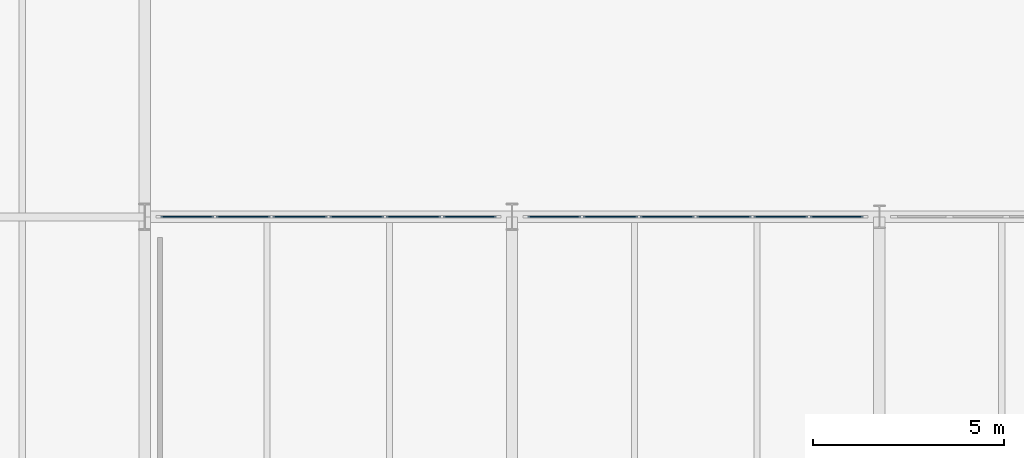
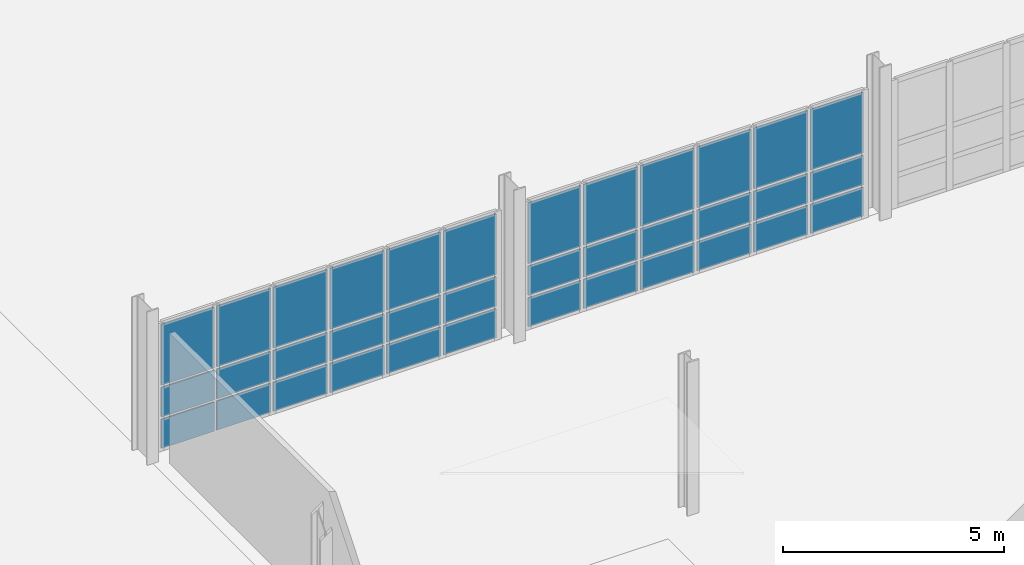
# One storey, part 48 of 78: 36 plates, 2 elements without a shape of their own.
"""IFC4 building model written with IfcOpenShell, lengths in metres."""

from ifc_helpers import new_model, si_unit, direction, frame, origin, origin_2d, place, context, subcontext, project, spatial, rectangle, extrude, material, layer, layer_set, type_object, element, aggregate, save


model = new_model("IFC4")

# Units and contexts
model_context = context("Model", 3, precision=1e-05, world=origin(), true_north=direction((0.0, 1.0)))
body_context = subcontext(model_context, "Body", "Model", "MODEL_VIEW")
ifc_project = project(units=[si_unit("LENGTHUNIT", "METRE"), si_unit("AREAUNIT", "SQUARE_METRE"), si_unit("VOLUMEUNIT", "CUBIC_METRE"), si_unit("PLANEANGLEUNIT", "RADIAN"), si_unit("MASSUNIT", "GRAM", prefix="KILO")], contexts=[model_context])

# Site, building, storey
site_placement = place(None, origin())
site = spatial("IfcSite", under=ifc_project, at=site_placement, CompositionType="ELEMENT")
building_placement = place(site_placement, origin())
building = spatial("IfcBuilding", under=site, at=building_placement, Name="Alderhovde Museum", CompositionType="ELEMENT")
storey_placement = place(building_placement, origin())
storey = spatial("IfcBuildingStorey", under=building, at=storey_placement, Name="L00", CompositionType="ELEMENT", Elevation=0.0)

# Curtain wall, plates
ifc_material_1 = material(Name="Triple-Glazed Bronze-Anodised Curtain Wall", Category="glass")
ifc_layer_1 = layer(ifc_material_1, 0.179931640625)
ifc_layer_set_1 = layer_set([ifc_layer_1], Name="Triple-Glazed Bronze-Anodised Curtain Wall")
curtain_wall_type = type_object("IfcCurtainWallType", Name="CW-STIC-890x356", PredefinedType="USERDEFINED", material=ifc_layer_set_1)
curtain_wall_1_placement = place(storey_placement, origin())
curtain_wall_1 = element("IfcCurtainWall", 1, at=curtain_wall_1_placement, inside=storey, type_object=curtain_wall_type, Name="L00 Stick Curtain Wall 136", ObjectType="STICK CURTAIN WALL", PredefinedType="USERDEFINED")
ifc_material_2 = material(Name="Triple-Glazed Low-E Laminated Glass", Category="glass")
ifc_layer_2 = layer(ifc_material_2, 0.028076171875)
ifc_layer_set_2 = layer_set([ifc_layer_2], Name="Triple-Glazed Low-E Laminated Glass")
plate_type_1 = type_object("IfcPlateType", Name="CWP-GLAZ-28", PredefinedType="CURTAIN_PANEL", material=ifc_layer_set_2)
plate_1_placement = place(storey_placement, frame((125.907958984375, 48.0, 0.06494140625), z_axis=(0.0, 0.0, 1.0), x_axis=(1.0, 0.0, 0.0)))
plate_1 = element("IfcPlate", 2, at=plate_1_placement, type_object=plate_type_1, Name="CW32 panel 1.1", PredefinedType="CURTAIN_PANEL", context=body_context, shape_type="SweptSolid", body=[
    extrude(rectangle(XDim=1.3857421875, YDim=0.028076171875, at=origin_2d()), origin(), (0.0, 0.0, 1.0), 0.802490234375),
])
plate_2_placement = place(storey_placement, frame((125.907958984375, 48.0, 0.9326171875), z_axis=(0.0, 0.0, 1.0), x_axis=(1.0, 0.0, 0.0)))
plate_2 = element("IfcPlate", 3, at=plate_2_placement, type_object=plate_type_1, Name="CW32 panel 1.2", PredefinedType="CURTAIN_PANEL", context=body_context, shape_type="SweptSolid", body=[
    extrude(rectangle(XDim=1.3857421875, YDim=0.028076171875, at=origin_2d()), origin(), (0.0, 0.0, 1.0), 0.81494140625),
])
plate_3_placement = place(storey_placement, frame((125.907958984375, 48.0, 1.8125), z_axis=(0.0, 0.0, 1.0), x_axis=(1.0, 0.0, 0.0)))
plate_3 = element("IfcPlate", 4, at=plate_3_placement, type_object=plate_type_1, Name="CW32 panel 1.3", PredefinedType="CURTAIN_PANEL", context=body_context, shape_type="SweptSolid", body=[
    extrude(rectangle(XDim=1.3857421875, YDim=0.028076171875, at=origin_2d()), origin(), (0.0, 0.0, 1.0), 1.6826171875),
])
plate_4_placement = place(storey_placement, frame((127.375, 48.0, 0.06494140625), z_axis=(0.0, 0.0, 1.0), x_axis=(1.0, 0.0, 0.0)))
plate_4 = element("IfcPlate", 5, at=plate_4_placement, type_object=plate_type_1, Name="CW32 panel 2.1", PredefinedType="CURTAIN_PANEL", context=body_context, shape_type="SweptSolid", body=[
    extrude(rectangle(XDim=1.418212890625, YDim=0.028076171875, at=origin_2d()), origin(), (0.0, 0.0, 1.0), 0.802490234375),
])
plate_5_placement = place(storey_placement, frame((127.375, 48.0, 0.9326171875), z_axis=(0.0, 0.0, 1.0), x_axis=(1.0, 0.0, 0.0)))
plate_5 = element("IfcPlate", 6, at=plate_5_placement, type_object=plate_type_1, Name="CW32 panel 2.2", PredefinedType="CURTAIN_PANEL", context=body_context, shape_type="SweptSolid", body=[
    extrude(rectangle(XDim=1.418212890625, YDim=0.028076171875, at=origin_2d()), origin(), (0.0, 0.0, 1.0), 0.81494140625),
])
plate_6_placement = place(storey_placement, frame((127.375, 48.0, 1.8125), z_axis=(0.0, 0.0, 1.0), x_axis=(1.0, 0.0, 0.0)))
plate_6 = element("IfcPlate", 7, at=plate_6_placement, type_object=plate_type_1, Name="CW32 panel 2.3", PredefinedType="CURTAIN_PANEL", context=body_context, shape_type="SweptSolid", body=[
    extrude(rectangle(XDim=1.418212890625, YDim=0.028076171875, at=origin_2d()), origin(), (0.0, 0.0, 1.0), 1.6826171875),
])
plate_7_placement = place(storey_placement, frame((128.8583984375, 48.0, 0.06494140625), z_axis=(0.0, 0.0, 1.0), x_axis=(1.0, 0.0, 0.0)))
plate_7 = element("IfcPlate", 8, at=plate_7_placement, type_object=plate_type_1, Name="CW32 panel 3.1", PredefinedType="CURTAIN_PANEL", context=body_context, shape_type="SweptSolid", body=[
    extrude(rectangle(XDim=1.418212890625, YDim=0.028076171875, at=origin_2d()), origin(), (0.0, 0.0, 1.0), 0.802490234375),
])
plate_8_placement = place(storey_placement, frame((128.8583984375, 48.0, 0.9326171875), z_axis=(0.0, 0.0, 1.0), x_axis=(1.0, 0.0, 0.0)))
plate_8 = element("IfcPlate", 9, at=plate_8_placement, type_object=plate_type_1, Name="CW32 panel 3.2", PredefinedType="CURTAIN_PANEL", context=body_context, shape_type="SweptSolid", body=[
    extrude(rectangle(XDim=1.418212890625, YDim=0.028076171875, at=origin_2d()), origin(), (0.0, 0.0, 1.0), 0.81494140625),
])
plate_9_placement = place(storey_placement, frame((128.8583984375, 48.0, 1.8125), z_axis=(0.0, 0.0, 1.0), x_axis=(1.0, 0.0, 0.0)))
plate_9 = element("IfcPlate", 10, at=plate_9_placement, type_object=plate_type_1, Name="CW32 panel 3.3", PredefinedType="CURTAIN_PANEL", context=body_context, shape_type="SweptSolid", body=[
    extrude(rectangle(XDim=1.418212890625, YDim=0.028076171875, at=origin_2d()), origin(), (0.0, 0.0, 1.0), 1.6826171875),
])
plate_10_placement = place(storey_placement, frame((130.341552734375, 48.0, 0.06494140625), z_axis=(0.0, 0.0, 1.0), x_axis=(1.0, 0.0, 0.0)))
plate_10 = element("IfcPlate", 11, at=plate_10_placement, type_object=plate_type_1, Name="CW32 panel 4.1", PredefinedType="CURTAIN_PANEL", context=body_context, shape_type="SweptSolid", body=[
    extrude(rectangle(XDim=1.418212890625, YDim=0.028076171875, at=origin_2d()), origin(), (0.0, 0.0, 1.0), 0.802490234375),
])
plate_11_placement = place(storey_placement, frame((130.341552734375, 48.0, 0.9326171875), z_axis=(0.0, 0.0, 1.0), x_axis=(1.0, 0.0, 0.0)))
plate_11 = element("IfcPlate", 12, at=plate_11_placement, type_object=plate_type_1, Name="CW32 panel 4.2", PredefinedType="CURTAIN_PANEL", context=body_context, shape_type="SweptSolid", body=[
    extrude(rectangle(XDim=1.418212890625, YDim=0.028076171875, at=origin_2d()), origin(), (0.0, 0.0, 1.0), 0.81494140625),
])
plate_12_placement = place(storey_placement, frame((130.341552734375, 48.0, 1.8125), z_axis=(0.0, 0.0, 1.0), x_axis=(1.0, 0.0, 0.0)))
plate_12 = element("IfcPlate", 13, at=plate_12_placement, type_object=plate_type_1, Name="CW32 panel 4.3", PredefinedType="CURTAIN_PANEL", context=body_context, shape_type="SweptSolid", body=[
    extrude(rectangle(XDim=1.418212890625, YDim=0.028076171875, at=origin_2d()), origin(), (0.0, 0.0, 1.0), 1.6826171875),
])
plate_13_placement = place(storey_placement, frame((131.824951171875, 48.0, 0.06494140625), z_axis=(0.0, 0.0, 1.0), x_axis=(1.0, 0.0, 0.0)))
plate_13 = element("IfcPlate", 14, at=plate_13_placement, type_object=plate_type_1, Name="CW32 panel 5.1", PredefinedType="CURTAIN_PANEL", context=body_context, shape_type="SweptSolid", body=[
    extrude(rectangle(XDim=1.418212890625, YDim=0.028076171875, at=origin_2d()), origin(), (0.0, 0.0, 1.0), 0.802490234375),
])
plate_14_placement = place(storey_placement, frame((131.824951171875, 48.0, 0.9326171875), z_axis=(0.0, 0.0, 1.0), x_axis=(1.0, 0.0, 0.0)))
plate_14 = element("IfcPlate", 15, at=plate_14_placement, type_object=plate_type_1, Name="CW32 panel 5.2", PredefinedType="CURTAIN_PANEL", context=body_context, shape_type="SweptSolid", body=[
    extrude(rectangle(XDim=1.418212890625, YDim=0.028076171875, at=origin_2d()), origin(), (0.0, 0.0, 1.0), 0.81494140625),
])
plate_15_placement = place(storey_placement, frame((131.824951171875, 48.0, 1.8125), z_axis=(0.0, 0.0, 1.0), x_axis=(1.0, 0.0, 0.0)))
plate_15 = element("IfcPlate", 16, at=plate_15_placement, type_object=plate_type_1, Name="CW32 panel 5.3", PredefinedType="CURTAIN_PANEL", context=body_context, shape_type="SweptSolid", body=[
    extrude(rectangle(XDim=1.418212890625, YDim=0.028076171875, at=origin_2d()), origin(), (0.0, 0.0, 1.0), 1.6826171875),
])
plate_16_placement = place(storey_placement, frame((133.2919921875, 48.0, 0.06494140625), z_axis=(0.0, 0.0, 1.0), x_axis=(1.0, 0.0, 0.0)))
plate_16 = element("IfcPlate", 17, at=plate_16_placement, type_object=plate_type_1, Name="CW32 panel 6.1", PredefinedType="CURTAIN_PANEL", context=body_context, shape_type="SweptSolid", body=[
    extrude(rectangle(XDim=1.3857421875, YDim=0.028076171875, at=origin_2d()), origin(), (0.0, 0.0, 1.0), 0.802490234375),
])
plate_17_placement = place(storey_placement, frame((133.2919921875, 48.0, 0.9326171875), z_axis=(0.0, 0.0, 1.0), x_axis=(1.0, 0.0, 0.0)))
plate_17 = element("IfcPlate", 18, at=plate_17_placement, type_object=plate_type_1, Name="CW32 panel 6.2", PredefinedType="CURTAIN_PANEL", context=body_context, shape_type="SweptSolid", body=[
    extrude(rectangle(XDim=1.3857421875, YDim=0.028076171875, at=origin_2d()), origin(), (0.0, 0.0, 1.0), 0.81494140625),
])
plate_18_placement = place(storey_placement, frame((133.2919921875, 48.0, 1.8125), z_axis=(0.0, 0.0, 1.0), x_axis=(1.0, 0.0, 0.0)))
plate_18 = element("IfcPlate", 19, at=plate_18_placement, type_object=plate_type_1, Name="CW32 panel 6.3", PredefinedType="CURTAIN_PANEL", context=body_context, shape_type="SweptSolid", body=[
    extrude(rectangle(XDim=1.3857421875, YDim=0.028076171875, at=origin_2d()), origin(), (0.0, 0.0, 1.0), 1.6826171875),
])
aggregate(curtain_wall_1, [plate_1, plate_2, plate_3, plate_4, plate_5, plate_6, plate_7, plate_8, plate_9, plate_10, plate_11, plate_12, plate_13, plate_14, plate_15, plate_16, plate_17, plate_18])

curtain_wall_2_placement = place(storey_placement, origin())
curtain_wall_2 = element("IfcCurtainWall", 20, at=curtain_wall_2_placement, inside=storey, type_object=curtain_wall_type, Name="L00 Stick Curtain Wall 133", ObjectType="STICK CURTAIN WALL", PredefinedType="USERDEFINED")
ifc_material_3 = material(Name="Triple-Glazed Low-E Laminated Glass", Category="glass")
ifc_layer_3 = layer(ifc_material_3, 0.035888671875)
ifc_layer_set_3 = layer_set([ifc_layer_3], Name="Triple-Glazed Low-E Laminated Glass")
plate_type_2 = type_object("IfcPlateType", Name="CWP-GLAZ-36", PredefinedType="CURTAIN_PANEL", material=ifc_layer_set_3)
plate_19_placement = place(storey_placement, frame((116.307861328125, 48.0, 0.06494140625), z_axis=(0.0, 0.0, 1.0), x_axis=(1.0, 0.0, 0.0)))
plate_19 = element("IfcPlate", 21, at=plate_19_placement, type_object=plate_type_2, Name="CW32 panel 1.1", PredefinedType="CURTAIN_PANEL", context=body_context, shape_type="SweptSolid", body=[
    extrude(rectangle(XDim=1.3857421875, YDim=0.035888671875, at=origin_2d()), origin(), (0.0, 0.0, 1.0), 0.802490234375),
])
plate_20_placement = place(storey_placement, frame((116.307861328125, 48.0, 0.9326171875), z_axis=(0.0, 0.0, 1.0), x_axis=(1.0, 0.0, 0.0)))
plate_20 = element("IfcPlate", 22, at=plate_20_placement, type_object=plate_type_2, Name="CW32 panel 1.2", PredefinedType="CURTAIN_PANEL", context=body_context, shape_type="SweptSolid", body=[
    extrude(rectangle(XDim=1.3857421875, YDim=0.035888671875, at=origin_2d()), origin(), (0.0, 0.0, 1.0), 0.81494140625),
])
plate_21_placement = place(storey_placement, frame((116.307861328125, 48.0, 1.8125), z_axis=(0.0, 0.0, 1.0), x_axis=(1.0, 0.0, 0.0)))
plate_21 = element("IfcPlate", 23, at=plate_21_placement, type_object=plate_type_2, Name="CW32 panel 1.3", PredefinedType="CURTAIN_PANEL", context=body_context, shape_type="SweptSolid", body=[
    extrude(rectangle(XDim=1.3857421875, YDim=0.035888671875, at=origin_2d()), origin(), (0.0, 0.0, 1.0), 1.6826171875),
])
plate_22_placement = place(storey_placement, frame((117.77490234375, 48.0, 0.06494140625), z_axis=(0.0, 0.0, 1.0), x_axis=(1.0, 0.0, 0.0)))
plate_22 = element("IfcPlate", 24, at=plate_22_placement, type_object=plate_type_2, Name="CW32 panel 2.1", PredefinedType="CURTAIN_PANEL", context=body_context, shape_type="SweptSolid", body=[
    extrude(rectangle(XDim=1.418212890625, YDim=0.035888671875, at=origin_2d()), origin(), (0.0, 0.0, 1.0), 0.802490234375),
])
plate_23_placement = place(storey_placement, frame((117.77490234375, 48.0, 0.9326171875), z_axis=(0.0, 0.0, 1.0), x_axis=(1.0, 0.0, 0.0)))
plate_23 = element("IfcPlate", 25, at=plate_23_placement, type_object=plate_type_2, Name="CW32 panel 2.2", PredefinedType="CURTAIN_PANEL", context=body_context, shape_type="SweptSolid", body=[
    extrude(rectangle(XDim=1.418212890625, YDim=0.035888671875, at=origin_2d()), origin(), (0.0, 0.0, 1.0), 0.81494140625),
])
plate_24_placement = place(storey_placement, frame((117.77490234375, 48.0, 1.8125), z_axis=(0.0, 0.0, 1.0), x_axis=(1.0, 0.0, 0.0)))
plate_24 = element("IfcPlate", 26, at=plate_24_placement, type_object=plate_type_2, Name="CW32 panel 2.3", PredefinedType="CURTAIN_PANEL", context=body_context, shape_type="SweptSolid", body=[
    extrude(rectangle(XDim=1.418212890625, YDim=0.035888671875, at=origin_2d()), origin(), (0.0, 0.0, 1.0), 1.6826171875),
])
plate_25_placement = place(storey_placement, frame((119.25830078125, 48.0, 0.06494140625), z_axis=(0.0, 0.0, 1.0), x_axis=(1.0, 0.0, 0.0)))
plate_25 = element("IfcPlate", 27, at=plate_25_placement, type_object=plate_type_2, Name="CW32 panel 3.1", PredefinedType="CURTAIN_PANEL", context=body_context, shape_type="SweptSolid", body=[
    extrude(rectangle(XDim=1.418212890625, YDim=0.035888671875, at=origin_2d()), origin(), (0.0, 0.0, 1.0), 0.802490234375),
])
plate_26_placement = place(storey_placement, frame((119.25830078125, 48.0, 0.9326171875), z_axis=(0.0, 0.0, 1.0), x_axis=(1.0, 0.0, 0.0)))
plate_26 = element("IfcPlate", 28, at=plate_26_placement, type_object=plate_type_2, Name="CW32 panel 3.2", PredefinedType="CURTAIN_PANEL", context=body_context, shape_type="SweptSolid", body=[
    extrude(rectangle(XDim=1.418212890625, YDim=0.035888671875, at=origin_2d()), origin(), (0.0, 0.0, 1.0), 0.81494140625),
])
plate_27_placement = place(storey_placement, frame((119.25830078125, 48.0, 1.8125), z_axis=(0.0, 0.0, 1.0), x_axis=(1.0, 0.0, 0.0)))
plate_27 = element("IfcPlate", 29, at=plate_27_placement, type_object=plate_type_2, Name="CW32 panel 3.3", PredefinedType="CURTAIN_PANEL", context=body_context, shape_type="SweptSolid", body=[
    extrude(rectangle(XDim=1.418212890625, YDim=0.035888671875, at=origin_2d()), origin(), (0.0, 0.0, 1.0), 1.6826171875),
])
plate_28_placement = place(storey_placement, frame((120.74169921875, 48.0, 0.06494140625), z_axis=(0.0, 0.0, 1.0), x_axis=(1.0, 0.0, 0.0)))
plate_28 = element("IfcPlate", 30, at=plate_28_placement, type_object=plate_type_2, Name="CW32 panel 4.1", PredefinedType="CURTAIN_PANEL", context=body_context, shape_type="SweptSolid", body=[
    extrude(rectangle(XDim=1.418212890625, YDim=0.035888671875, at=origin_2d()), origin(), (0.0, 0.0, 1.0), 0.802490234375),
])
plate_29_placement = place(storey_placement, frame((120.74169921875, 48.0, 0.9326171875), z_axis=(0.0, 0.0, 1.0), x_axis=(1.0, 0.0, 0.0)))
plate_29 = element("IfcPlate", 31, at=plate_29_placement, type_object=plate_type_2, Name="CW32 panel 4.2", PredefinedType="CURTAIN_PANEL", context=body_context, shape_type="SweptSolid", body=[
    extrude(rectangle(XDim=1.418212890625, YDim=0.035888671875, at=origin_2d()), origin(), (0.0, 0.0, 1.0), 0.81494140625),
])
plate_30_placement = place(storey_placement, frame((120.74169921875, 48.0, 1.8125), z_axis=(0.0, 0.0, 1.0), x_axis=(1.0, 0.0, 0.0)))
plate_30 = element("IfcPlate", 32, at=plate_30_placement, type_object=plate_type_2, Name="CW32 panel 4.3", PredefinedType="CURTAIN_PANEL", context=body_context, shape_type="SweptSolid", body=[
    extrude(rectangle(XDim=1.418212890625, YDim=0.035888671875, at=origin_2d()), origin(), (0.0, 0.0, 1.0), 1.6826171875),
])
plate_31_placement = place(storey_placement, frame((122.22509765625, 48.0, 0.06494140625), z_axis=(0.0, 0.0, 1.0), x_axis=(1.0, 0.0, 0.0)))
plate_31 = element("IfcPlate", 33, at=plate_31_placement, type_object=plate_type_2, Name="CW32 panel 5.1", PredefinedType="CURTAIN_PANEL", context=body_context, shape_type="SweptSolid", body=[
    extrude(rectangle(XDim=1.418212890625, YDim=0.035888671875, at=origin_2d()), origin(), (0.0, 0.0, 1.0), 0.802490234375),
])
plate_32_placement = place(storey_placement, frame((122.22509765625, 48.0, 0.9326171875), z_axis=(0.0, 0.0, 1.0), x_axis=(1.0, 0.0, 0.0)))
plate_32 = element("IfcPlate", 34, at=plate_32_placement, type_object=plate_type_2, Name="CW32 panel 5.2", PredefinedType="CURTAIN_PANEL", context=body_context, shape_type="SweptSolid", body=[
    extrude(rectangle(XDim=1.418212890625, YDim=0.035888671875, at=origin_2d()), origin(), (0.0, 0.0, 1.0), 0.81494140625),
])
plate_33_placement = place(storey_placement, frame((122.22509765625, 48.0, 1.8125), z_axis=(0.0, 0.0, 1.0), x_axis=(1.0, 0.0, 0.0)))
plate_33 = element("IfcPlate", 35, at=plate_33_placement, type_object=plate_type_2, Name="CW32 panel 5.3", PredefinedType="CURTAIN_PANEL", context=body_context, shape_type="SweptSolid", body=[
    extrude(rectangle(XDim=1.418212890625, YDim=0.035888671875, at=origin_2d()), origin(), (0.0, 0.0, 1.0), 1.6826171875),
])
plate_34_placement = place(storey_placement, frame((123.692138671875, 48.0, 0.06494140625), z_axis=(0.0, 0.0, 1.0), x_axis=(1.0, 0.0, 0.0)))
plate_34 = element("IfcPlate", 36, at=plate_34_placement, type_object=plate_type_2, Name="CW32 panel 6.1", PredefinedType="CURTAIN_PANEL", context=body_context, shape_type="SweptSolid", body=[
    extrude(rectangle(XDim=1.3857421875, YDim=0.035888671875, at=origin_2d()), origin(), (0.0, 0.0, 1.0), 0.802490234375),
])
plate_35_placement = place(storey_placement, frame((123.692138671875, 48.0, 0.9326171875), z_axis=(0.0, 0.0, 1.0), x_axis=(1.0, 0.0, 0.0)))
plate_35 = element("IfcPlate", 37, at=plate_35_placement, type_object=plate_type_2, Name="CW32 panel 6.2", PredefinedType="CURTAIN_PANEL", context=body_context, shape_type="SweptSolid", body=[
    extrude(rectangle(XDim=1.3857421875, YDim=0.035888671875, at=origin_2d()), origin(), (0.0, 0.0, 1.0), 0.81494140625),
])
plate_36_placement = place(storey_placement, frame((123.692138671875, 48.0, 1.8125), z_axis=(0.0, 0.0, 1.0), x_axis=(1.0, 0.0, 0.0)))
plate_36 = element("IfcPlate", 38, at=plate_36_placement, type_object=plate_type_2, Name="CW32 panel 6.3", PredefinedType="CURTAIN_PANEL", context=body_context, shape_type="SweptSolid", body=[
    extrude(rectangle(XDim=1.3857421875, YDim=0.035888671875, at=origin_2d()), origin(), (0.0, 0.0, 1.0), 1.6826171875),
])
aggregate(curtain_wall_2, [plate_19, plate_20, plate_21, plate_22, plate_23, plate_24, plate_25, plate_26, plate_27, plate_28, plate_29, plate_30, plate_31, plate_32, plate_33, plate_34, plate_35, plate_36])

save(model, "model.ifc")
